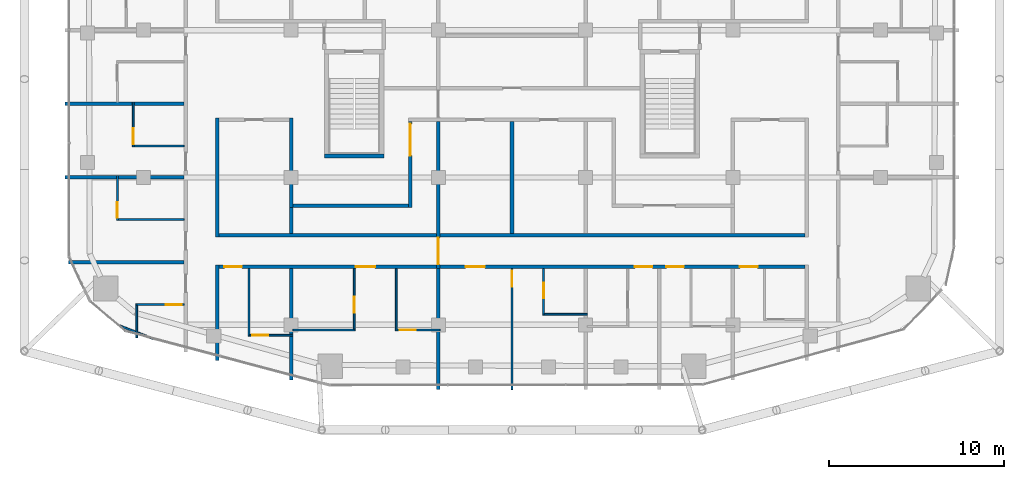
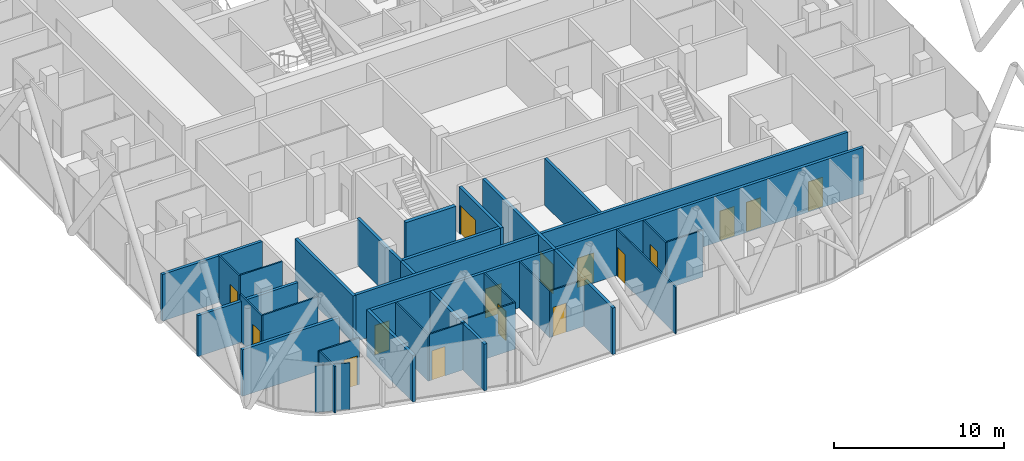
# One storey, part 20 of 28: 32 walls, 16 doors, 16 openings.
"""IFC4 building model written with IfcOpenShell, lengths in metres."""

from ifc_helpers import new_model, si_unit, direction, frame, frame_2d, origin, place, context, subcontext, project, spatial, rectangle, extrude, material, layer, layer_set, type_object, element, fill, save


model = new_model("IFC4")

# Units and contexts
model_context = context("Model", 3, precision=1e-05, world=origin(), true_north=direction((0.0, 1.0)))
body_context = subcontext(model_context, "Body", "Model", "MODEL_VIEW")
ifc_project = project(units=[si_unit("LENGTHUNIT", "METRE"), si_unit("AREAUNIT", "SQUARE_METRE"), si_unit("VOLUMEUNIT", "CUBIC_METRE"), si_unit("PLANEANGLEUNIT", "RADIAN"), si_unit("MASSUNIT", "GRAM", prefix="KILO")], contexts=[model_context])

# Site, building, storey
site_placement = place(None, origin())
site = spatial("IfcSite", under=ifc_project, at=site_placement, CompositionType="ELEMENT")
building_placement = place(site_placement, origin())
building = spatial("IfcBuilding", under=site, at=building_placement, Name="Marenta Gate Hotel Tower", CompositionType="ELEMENT")
storey_placement = place(building_placement, frame((0.0, 0.0, 227.300048828125)))
storey = spatial("IfcBuildingStorey", under=building, at=storey_placement, Name="L53", CompositionType="ELEMENT", Elevation=227.300048828125)

# Wall
ifc_material_1 = material(Name="Concrete blockwork", Category="masonry")
ifc_layer_1 = layer(ifc_material_1, 0.199951171875)
ifc_layer_set_1 = layer_set([ifc_layer_1], Name="Concrete blockwork")
wall_type_1 = type_object("IfcWallType", Name="Compartment wall 200 REI 180", PredefinedType="PARTITIONING", material=ifc_layer_set_1)
wall_1_placement = place(storey_placement, frame((-4.199951171875, -28.89990234375, 0.0), z_axis=(0.0, 0.0, 1.0), x_axis=(0.0, 1.0, 0.0)))
element("IfcWall", 1, at=wall_1_placement, inside=storey, type_object=wall_type_1, Name="L53-PTN-W080", PredefinedType="PARTITIONING", context=body_context, shape_type="SweptSolid", body=[
    extrude(rectangle(XDim=6.89990234375, YDim=0.199951171875, at=frame_2d((3.449951171875, 0.0))), origin(), (0.0, 0.0, 1.0), 3.33984375),
])

# Wall, opening, door
wall_2_placement = place(storey_placement, frame((-4.199951171875, -22.0, 0.0), z_axis=(0.0, 0.0, 1.0), x_axis=(0.0, 1.0, 0.0)))
wall_2 = element("IfcWall", 2, at=wall_2_placement, inside=storey, type_object=wall_type_1, Name="L53-PTN-W081", PredefinedType="PARTITIONING", context=body_context, shape_type="SweptSolid", body=[
    extrude(rectangle(XDim=8.39990234375, YDim=0.199951171875, at=frame_2d((4.199951171875, 0.0))), origin(), (0.0, 0.0, 1.0), 3.33984375),
])
opening_1_placement = place(wall_2_placement, frame((0.25, 0.0, 0.0)))
opening_1 = element("IfcOpeningElement", 3, at=opening_1_placement, cuts=wall_2, Name="Opening G19-FD4", PredefinedType="OPENING", context=body_context, shape_type="SweptSolid", body=[
    extrude(rectangle(XDim=1.5, YDim=2.10009765625, at=frame_2d((0.75, 1.050048828125))), frame((0.0, 0.10009765625, 0.0), z_axis=(0.0, -1.0, 0.0), x_axis=(1.0, 0.0, 0.0)), (0.0, 0.0, 1.0), 0.199951171875),
])
ifc_material_2 = material(Name="Hollow steel door set", Category="steel")
door_type_1 = type_object("IfcDoorType", Name="Compartment fire door 1500x2100 EI 60", OperationType="DOUBLE_DOOR_DOUBLE_SWING", PredefinedType="DOOR", material=ifc_material_2)
door_1_placement = place(opening_1_placement, origin())
door_1 = element("IfcDoor", 4, at=door_1_placement, inside=storey, type_object=door_type_1, Name="L53-PD-FD04", OperationType="DOUBLE_DOOR_DOUBLE_SWING", OverallHeight=2.10009765625, OverallWidth=1.5, PredefinedType="DOOR", context=body_context, shape_type="SweptSolid", body=[
    extrude(rectangle(XDim=1.5, YDim=2.10009765625, at=frame_2d((0.75, 1.050048828125))), frame((0.0, 0.02490234375, 0.0), z_axis=(0.0, -1.0, 0.0), x_axis=(1.0, 0.0, 0.0)), (0.0, 0.0, 1.0), 0.050048828125),
])
fill(opening_1, door_1)

# Wall
ifc_material_3 = material(Name="Concrete C40", Category="concrete")
ifc_layer_2 = layer(ifc_material_3, 0.25)
ifc_layer_set_2 = layer_set([ifc_layer_2], Name="Concrete C40")
wall_type_2 = type_object("IfcWallType", Name="Remote stair enclosure wall 250 REI 180", PredefinedType="SHEAR", material=ifc_layer_set_2)
wall_3_placement = place(storey_placement, frame((-10.699951171875, -15.574951171875, 0.099853515625), z_axis=(0.0, 0.0, 1.0), x_axis=(1.0, 0.0, 0.0)))
element("IfcWall", 5, at=wall_3_placement, inside=storey, type_object=wall_type_2, Name="L53-RS-Z3-1-W1", PredefinedType="SHEAR", context=body_context, shape_type="SweptSolid", body=[
    extrude(rectangle(XDim=3.39990234375, YDim=0.25, at=frame_2d((1.699951171875, 0.0))), origin(), (0.0, 0.0, 1.0), 3.60009765625),
])

# Wall, openings, doors
ifc_material_4 = material(Name="Gypsum board on steel stud", Category="steel")
ifc_layer_3 = layer(ifc_material_4, 0.199951171875)
ifc_layer_set_3 = layer_set([ifc_layer_3], Name="Gypsum board on steel stud")
wall_type_3 = type_object("IfcWallType", Name="Room corridor wall 200 EI 60", PredefinedType="PARTITIONING", material=ifc_layer_set_3)
wall_4_placement = place(storey_placement, frame((-16.699951171875, -21.89990234375, 0.0), z_axis=(0.0, 0.0, 1.0), x_axis=(1.0, 0.0, 0.0)))
wall_4 = element("IfcWall", 6, at=wall_4_placement, inside=storey, type_object=wall_type_3, Name="L53-PTN-W015", PredefinedType="PARTITIONING", context=body_context, shape_type="SweptSolid", body=[
    extrude(rectangle(XDim=33.39990234375, YDim=0.199951171875, at=frame_2d((16.699951171875, 0.0))), origin(), (0.0, 0.0, 1.0), 3.33984375),
])
opening_2_placement = place(wall_4_placement, frame((0.300048828125, 0.0, 0.0)))
opening_2 = element("IfcOpeningElement", 7, at=opening_2_placement, cuts=wall_4, Name="Opening G19-36", PredefinedType="OPENING", context=body_context, shape_type="SweptSolid", body=[
    extrude(rectangle(XDim=1.0, YDim=2.10009765625, at=frame_2d((0.5, 1.050048828125))), frame((0.0, 0.10009765625, 0.0), z_axis=(0.0, -1.0, 0.0), x_axis=(1.0, 0.0, 0.0)), (0.0, 0.0, 1.0), 0.199951171875),
])
opening_3_placement = place(wall_4_placement, frame((7.800048828125, 0.0, 0.0)))
opening_3 = element("IfcOpeningElement", 8, at=opening_3_placement, cuts=wall_4, Name="Opening G19-38", PredefinedType="OPENING", context=body_context, shape_type="SweptSolid", body=[
    extrude(rectangle(XDim=1.10009765625, YDim=2.10009765625, at=frame_2d((0.550048828125, 1.050048828125))), frame((0.0, 0.10009765625, 0.0), z_axis=(0.0, -1.0, 0.0), x_axis=(1.0, 0.0, 0.0)), (0.0, 0.0, 1.0), 0.199951171875),
])
opening_4_placement = place(wall_4_placement, frame((14.050048828125, 0.0, 0.0)))
opening_4 = element("IfcOpeningElement", 9, at=opening_4_placement, cuts=wall_4, Name="Opening G19-41", PredefinedType="OPENING", context=body_context, shape_type="SweptSolid", body=[
    extrude(rectangle(XDim=1.10009765625, YDim=2.10009765625, at=frame_2d((0.550048828125, 1.050048828125))), frame((0.0, 0.10009765625, 0.0), z_axis=(0.0, -1.0, 0.0), x_axis=(1.0, 0.0, 0.0)), (0.0, 0.0, 1.0), 0.199951171875),
])
opening_5_placement = place(wall_4_placement, frame((23.699951171875, 0.0, 0.0)))
opening_5 = element("IfcOpeningElement", 10, at=opening_5_placement, cuts=wall_4, Name="Opening G19-44", PredefinedType="OPENING", context=body_context, shape_type="SweptSolid", body=[
    extrude(rectangle(XDim=1.0, YDim=2.10009765625, at=frame_2d((0.5, 1.050048828125))), frame((0.0, 0.10009765625, 0.0), z_axis=(0.0, -1.0, 0.0), x_axis=(1.0, 0.0, 0.0)), (0.0, 0.0, 1.0), 0.199951171875),
])
opening_6_placement = place(wall_4_placement, frame((25.5, 0.0, 0.0)))
opening_6 = element("IfcOpeningElement", 11, at=opening_6_placement, cuts=wall_4, Name="Opening G19-46", PredefinedType="OPENING", context=body_context, shape_type="SweptSolid", body=[
    extrude(rectangle(XDim=1.0, YDim=2.10009765625, at=frame_2d((0.5, 1.050048828125))), frame((0.0, 0.10009765625, 0.0), z_axis=(0.0, -1.0, 0.0), x_axis=(1.0, 0.0, 0.0)), (0.0, 0.0, 1.0), 0.199951171875),
])
opening_7_placement = place(wall_4_placement, frame((29.699951171875, 0.0, 0.0)))
opening_7 = element("IfcOpeningElement", 12, at=opening_7_placement, cuts=wall_4, Name="Opening G19-48", PredefinedType="OPENING", context=body_context, shape_type="SweptSolid", body=[
    extrude(rectangle(XDim=1.0, YDim=2.10009765625, at=frame_2d((0.5, 1.050048828125))), frame((0.0, 0.10009765625, 0.0), z_axis=(0.0, -1.0, 0.0), x_axis=(1.0, 0.0, 0.0)), (0.0, 0.0, 1.0), 0.199951171875),
])
ifc_material_5 = material(Name="Timber door leaf", Category="wood")
door_type_2 = type_object("IfcDoorType", Name="Guest room door 1000x2100 EI 30", OperationType="NOTDEFINED", PredefinedType="DOOR", material=ifc_material_5)
door_2_placement = place(opening_2_placement, origin())
door_2 = element("IfcDoor", 13, at=door_2_placement, inside=storey, type_object=door_type_2, Name="L53-PD-D036", OperationType="SINGLE_SWING_RIGHT", OverallHeight=2.10009765625, OverallWidth=1.0, PredefinedType="DOOR", context=body_context, shape_type="SweptSolid", body=[
    extrude(rectangle(XDim=1.0, YDim=2.10009765625, at=frame_2d((0.5, 1.050048828125))), frame((0.0, 0.02490234375, 0.0), z_axis=(0.0, -1.0, 0.0), x_axis=(1.0, 0.0, 0.0)), (0.0, 0.0, 1.0), 0.050048828125),
])
fill(opening_2, door_2)
door_3_placement = place(opening_5_placement, origin())
door_3 = element("IfcDoor", 14, at=door_3_placement, inside=storey, type_object=door_type_2, Name="L53-PD-D044", OperationType="SINGLE_SWING_RIGHT", OverallHeight=2.10009765625, OverallWidth=1.0, PredefinedType="DOOR", context=body_context, shape_type="SweptSolid", body=[
    extrude(rectangle(XDim=1.0, YDim=2.10009765625, at=frame_2d((0.5, 1.050048828125))), frame((0.0, 0.02490234375, 0.0), z_axis=(0.0, -1.0, 0.0), x_axis=(1.0, 0.0, 0.0)), (0.0, 0.0, 1.0), 0.050048828125),
])
fill(opening_5, door_3)
door_4_placement = place(opening_6_placement, origin())
door_4 = element("IfcDoor", 15, at=door_4_placement, inside=storey, type_object=door_type_2, Name="L53-PD-D046", OperationType="SINGLE_SWING_RIGHT", OverallHeight=2.10009765625, OverallWidth=1.0, PredefinedType="DOOR", context=body_context, shape_type="SweptSolid", body=[
    extrude(rectangle(XDim=1.0, YDim=2.10009765625, at=frame_2d((0.5, 1.050048828125))), frame((0.0, 0.02490234375, 0.0), z_axis=(0.0, -1.0, 0.0), x_axis=(1.0, 0.0, 0.0)), (0.0, 0.0, 1.0), 0.050048828125),
])
fill(opening_6, door_4)
door_5_placement = place(opening_7_placement, origin())
door_5 = element("IfcDoor", 16, at=door_5_placement, inside=storey, type_object=door_type_2, Name="L53-PD-D048", OperationType="SINGLE_SWING_RIGHT", OverallHeight=2.10009765625, OverallWidth=1.0, PredefinedType="DOOR", context=body_context, shape_type="SweptSolid", body=[
    extrude(rectangle(XDim=1.0, YDim=2.10009765625, at=frame_2d((0.5, 1.050048828125))), frame((0.0, 0.02490234375, 0.0), z_axis=(0.0, -1.0, 0.0), x_axis=(1.0, 0.0, 0.0)), (0.0, 0.0, 1.0), 0.050048828125),
])
fill(opening_7, door_5)
ifc_material_6 = material(Name="Timber door leaf", Category="wood")
door_type_3 = type_object("IfcDoorType", Name="Guest room door 1100x2100 EI 30", OperationType="NOTDEFINED", PredefinedType="DOOR", material=ifc_material_6)
door_6_placement = place(opening_3_placement, origin())
door_6 = element("IfcDoor", 17, at=door_6_placement, inside=storey, type_object=door_type_3, Name="L53-PD-D038", OperationType="SINGLE_SWING_RIGHT", OverallHeight=2.10009765625, OverallWidth=1.10009765625, PredefinedType="DOOR", context=body_context, shape_type="SweptSolid", body=[
    extrude(rectangle(XDim=1.10009765625, YDim=2.10009765625, at=frame_2d((0.550048828125, 1.050048828125))), frame((0.0, 0.02490234375, 0.0), z_axis=(0.0, -1.0, 0.0), x_axis=(1.0, 0.0, 0.0)), (0.0, 0.0, 1.0), 0.050048828125),
])
fill(opening_3, door_6)
door_7_placement = place(opening_4_placement, origin())
door_7 = element("IfcDoor", 18, at=door_7_placement, inside=storey, type_object=door_type_3, Name="L53-PD-D041", OperationType="SINGLE_SWING_LEFT", OverallHeight=2.10009765625, OverallWidth=1.10009765625, PredefinedType="DOOR", context=body_context, shape_type="SweptSolid", body=[
    extrude(rectangle(XDim=1.10009765625, YDim=2.10009765625, at=frame_2d((0.550048828125, 1.050048828125))), frame((0.0, 0.02490234375, 0.0), z_axis=(0.0, -1.0, 0.0), x_axis=(1.0, 0.0, 0.0)), (0.0, 0.0, 1.0), 0.050048828125),
])
fill(opening_4, door_7)

# Walls
wall_5_placement = place(storey_placement, frame((-16.699951171875, -20.10009765625, 0.0), z_axis=(0.0, 0.0, 1.0), x_axis=(1.0, 0.0, 0.0)))
element("IfcWall", 19, at=wall_5_placement, inside=storey, type_object=wall_type_3, Name="L53-PTN-W019", PredefinedType="PARTITIONING", context=body_context, shape_type="SweptSolid", body=[
    extrude(rectangle(XDim=33.39990234375, YDim=0.199951171875, at=frame_2d((16.699951171875, 0.0))), origin(), (0.0, 0.0, 1.0), 3.33984375),
])
wall_6_placement = place(storey_placement, frame((-12.5, -18.39990234375, 0.0), z_axis=(0.0, 0.0, 1.0), x_axis=(1.0, 0.0, 0.0)))
element("IfcWall", 20, at=wall_6_placement, inside=storey, type_object=wall_type_3, Name="L53-PTN-W022", PredefinedType="PARTITIONING", context=body_context, shape_type="SweptSolid", body=[
    extrude(rectangle(XDim=6.60009765625, YDim=0.199951171875, at=frame_2d((3.300048828125, 0.0))), origin(), (0.0, 0.0, 1.0), 3.33984375),
])

# Wall, opening, door
wall_7_placement = place(storey_placement, frame((-5.800048828125, -18.5, 0.0), z_axis=(0.0, 0.0, 1.0), x_axis=(0.0, 1.0, 0.0)))
wall_7 = element("IfcWall", 21, at=wall_7_placement, inside=storey, type_object=wall_type_3, Name="L53-PTN-W085", PredefinedType="PARTITIONING", context=body_context, shape_type="SweptSolid", body=[
    extrude(rectangle(XDim=4.89990234375, YDim=0.199951171875, at=frame_2d((2.449951171875, 0.0))), origin(), (0.0, 0.0, 1.0), 3.33984375),
])
opening_8_placement = place(wall_7_placement, frame((2.949951171875, 0.0, 0.0)))
opening_8 = element("IfcOpeningElement", 22, at=opening_8_placement, cuts=wall_7, Name="Opening G19-12", PredefinedType="OPENING", context=body_context, shape_type="SweptSolid", body=[
    extrude(rectangle(XDim=1.800048828125, YDim=2.10009765625, at=frame_2d((0.89990234375, 1.050048828125))), frame((0.0, 0.10009765625, 0.0), z_axis=(0.0, -1.0, 0.0), x_axis=(1.0, 0.0, 0.0)), (0.0, 0.0, 1.0), 0.199951171875),
])
ifc_material_7 = material(Name="Timber door leaf", Category="wood")
door_type_4 = type_object("IfcDoorType", Name="Room amenity door 1800x2100 EI 30", OperationType="DOUBLE_DOOR_SINGLE_SWING", PredefinedType="DOOR", material=ifc_material_7)
door_8_placement = place(opening_8_placement, origin())
door_8 = element("IfcDoor", 23, at=door_8_placement, inside=storey, type_object=door_type_4, Name="L53-PD-D012", OperationType="DOUBLE_DOOR_SINGLE_SWING", OverallHeight=2.10009765625, OverallWidth=1.800048828125, PredefinedType="DOOR", context=body_context, shape_type="SweptSolid", body=[
    extrude(rectangle(XDim=1.800048828125, YDim=2.10009765625, at=frame_2d((0.89990234375, 1.050048828125))), frame((0.0, 0.02490234375, 0.0), z_axis=(0.0, -1.0, 0.0), x_axis=(1.0, 0.0, 0.0)), (0.0, 0.0, 1.0), 0.050048828125),
])
fill(opening_8, door_8)

# Walls
wall_8_placement = place(storey_placement, frame((-12.60009765625, -18.5, 0.0), z_axis=(0.0, 0.0, 1.0), x_axis=(0.0, 1.0, 0.0)))
element("IfcWall", 24, at=wall_8_placement, inside=storey, type_object=wall_type_3, Name="L53-PTN-W099", PredefinedType="PARTITIONING", context=body_context, shape_type="SweptSolid", body=[
    extrude(rectangle(XDim=5.10009765625, YDim=0.199951171875, at=frame_2d((2.550048828125, 0.0))), origin(), (0.0, 0.0, 1.0), 3.33984375),
])
wall_9_placement = place(storey_placement, frame((-16.800048828125, -27.22900390625, 0.0), z_axis=(0.0, 0.0, 1.0), x_axis=(0.0, 1.0, 0.0)))
element("IfcWall", 25, at=wall_9_placement, inside=storey, type_object=wall_type_3, Name="L53-PTN-W104", PredefinedType="PARTITIONING", context=body_context, shape_type="SweptSolid", body=[
    extrude(rectangle(XDim=5.428955078125, YDim=0.199951171875, at=frame_2d((2.71435546875, 0.0))), origin(), (0.0, 0.0, 1.0), 3.33984375),
])
wall_10_placement = place(storey_placement, frame((-16.800048828125, -20.199951171875, 0.0), z_axis=(0.0, 0.0, 1.0), x_axis=(0.0, 1.0, 0.0)))
element("IfcWall", 26, at=wall_10_placement, inside=storey, type_object=wall_type_3, Name="L53-PTN-W105", PredefinedType="PARTITIONING", context=body_context, shape_type="SweptSolid", body=[
    extrude(rectangle(XDim=6.800048828125, YDim=0.199951171875, at=frame_2d((3.39990234375, 0.0))), origin(), (0.0, 0.0, 1.0), 3.33984375),
])
ifc_material_8 = material(Name="Gypsum board on steel stud", Category="steel")
ifc_layer_4 = layer(ifc_material_8, 0.10009765625)
ifc_layer_set_4 = layer_set([ifc_layer_4], Name="Gypsum board on steel stud")
wall_type_4 = type_object("IfcWallType", Name="Room partition 100", PredefinedType="PARTITIONING", material=ifc_layer_set_4)
wall_11_placement = place(storey_placement, frame((-22.385986328125, -25.2470703125, 0.0), z_axis=(0.0, 0.0, 1.0), x_axis=(0.932741240306, -0.360546499959, 0.0)))
element("IfcWall", 27, at=wall_11_placement, inside=storey, type_object=wall_type_4, Name="L53-PTN-W001", PredefinedType="PARTITIONING", context=body_context, shape_type="SweptSolid", body=[
    extrude(rectangle(XDim=2.06591796875, YDim=0.10009765625, at=frame_2d((1.032958984375, 0.0))), origin(), (0.0, 0.0, 1.0), 3.33984375),
])

# Wall, opening, door
wall_12_placement = place(storey_placement, frame((-14.949951171875, -25.800048828125, 0.0), z_axis=(0.0, 0.0, 1.0), x_axis=(1.0, 0.0, 0.0)))
wall_12 = element("IfcWall", 28, at=wall_12_placement, inside=storey, type_object=wall_type_4, Name="L53-PTN-W002", PredefinedType="PARTITIONING", context=body_context, shape_type="SweptSolid", body=[
    extrude(rectangle(XDim=2.449951171875, YDim=0.10009765625, at=frame_2d((1.22509765625, 0.0))), origin(), (0.0, 0.0, 1.0), 3.33984375),
])
opening_9_placement = place(wall_12_placement, frame((0.14990234375, 0.0, 0.0)))
opening_9 = element("IfcOpeningElement", 29, at=opening_9_placement, cuts=wall_12, Name="Opening G19-37", PredefinedType="OPENING", context=body_context, shape_type="SweptSolid", body=[
    extrude(rectangle(XDim=0.89990234375, YDim=2.10009765625, at=frame_2d((0.449951171875, 1.050048828125))), frame((0.0, 0.050048828125, 0.0), z_axis=(0.0, -1.0, 0.0), x_axis=(1.0, 0.0, 0.0)), (0.0, 0.0, 1.0), 0.10009765625),
])
ifc_material_9 = material(Name="Timber door leaf", Category="wood")
door_type_5 = type_object("IfcDoorType", Name="Guest bathroom door 900x2100", OperationType="NOTDEFINED", PredefinedType="DOOR", material=ifc_material_9)
door_9_placement = place(opening_9_placement, origin())
door_9 = element("IfcDoor", 30, at=door_9_placement, inside=storey, type_object=door_type_5, Name="L53-PD-D037", OperationType="SINGLE_SWING_LEFT", OverallHeight=2.10009765625, OverallWidth=0.89990234375, PredefinedType="DOOR", context=body_context, shape_type="SweptSolid", body=[
    extrude(rectangle(XDim=0.89990234375, YDim=2.10009765625, at=frame_2d((0.449951171875, 1.050048828125))), frame((0.0, 0.02490234375, 0.0), z_axis=(0.0, -1.0, 0.0), x_axis=(1.0, 0.0, 0.0)), (0.0, 0.0, 1.0), 0.050048828125),
])
fill(opening_9, door_9)

# Wall
wall_13_placement = place(storey_placement, frame((-12.5, -25.5, 0.0), z_axis=(0.0, 0.0, 1.0), x_axis=(1.0, 0.0, 0.0)))
element("IfcWall", 31, at=wall_13_placement, inside=storey, type_object=wall_type_4, Name="L53-PTN-W003", PredefinedType="PARTITIONING", context=body_context, shape_type="SweptSolid", body=[
    extrude(rectangle(XDim=3.550048828125, YDim=0.10009765625, at=frame_2d((1.77490234375, 0.0))), origin(), (0.0, 0.0, 1.0), 3.33984375),
])

# Wall, opening, door
wall_14_placement = place(storey_placement, frame((-6.550048828125, -25.5, 0.0), z_axis=(0.0, 0.0, 1.0), x_axis=(1.0, 0.0, 0.0)))
wall_14 = element("IfcWall", 32, at=wall_14_placement, inside=storey, type_object=wall_type_4, Name="L53-PTN-W004", PredefinedType="PARTITIONING", context=body_context, shape_type="SweptSolid", body=[
    extrude(rectangle(XDim=2.449951171875, YDim=0.10009765625, at=frame_2d((1.22509765625, 0.0))), origin(), (0.0, 0.0, 1.0), 3.33984375),
])
opening_10_placement = place(wall_14_placement, frame((0.14990234375, 0.0, 0.0)))
opening_10 = element("IfcOpeningElement", 33, at=opening_10_placement, cuts=wall_14, Name="Opening G19-40", PredefinedType="OPENING", context=body_context, shape_type="SweptSolid", body=[
    extrude(rectangle(XDim=0.89990234375, YDim=2.10009765625, at=frame_2d((0.449951171875, 1.050048828125))), frame((0.0, 0.050048828125, 0.0), z_axis=(0.0, -1.0, 0.0), x_axis=(1.0, 0.0, 0.0)), (0.0, 0.0, 1.0), 0.10009765625),
])
ifc_material_10 = material(Name="Timber door leaf", Category="wood")
door_type_6 = type_object("IfcDoorType", Name="Room inner door 900x2100", OperationType="NOTDEFINED", PredefinedType="DOOR", material=ifc_material_10)
door_10_placement = place(opening_10_placement, origin())
door_10 = element("IfcDoor", 34, at=door_10_placement, inside=storey, type_object=door_type_6, Name="L53-PD-D040", OperationType="SINGLE_SWING_LEFT", OverallHeight=2.10009765625, OverallWidth=0.89990234375, PredefinedType="DOOR", context=body_context, shape_type="SweptSolid", body=[
    extrude(rectangle(XDim=0.89990234375, YDim=2.10009765625, at=frame_2d((0.449951171875, 1.050048828125))), frame((0.0, 0.02490234375, 0.0), z_axis=(0.0, -1.0, 0.0), x_axis=(1.0, 0.0, 0.0)), (0.0, 0.0, 1.0), 0.050048828125),
])
fill(opening_10, door_10)

# Wall
wall_15_placement = place(storey_placement, frame((1.85009765625, -24.60009765625, 0.0), z_axis=(0.0, 0.0, 1.0), x_axis=(1.0, 0.0, 0.0)))
element("IfcWall", 35, at=wall_15_placement, inside=storey, type_object=wall_type_4, Name="L53-PTN-W008", PredefinedType="PARTITIONING", context=body_context, shape_type="SweptSolid", body=[
    extrude(rectangle(XDim=2.449951171875, YDim=0.10009765625, at=frame_2d((1.22509765625, 0.0))), origin(), (0.0, 0.0, 1.0), 3.33984375),
])

# Wall, opening, door
wall_16_placement = place(storey_placement, frame((-21.449951171875, -24.051025390625, 0.0), z_axis=(0.0, 0.0, 1.0), x_axis=(1.0, 0.0, 0.0)))
wall_16 = element("IfcWall", 36, at=wall_16_placement, inside=storey, type_object=wall_type_4, Name="L53-PTN-W009", PredefinedType="PARTITIONING", context=body_context, shape_type="SweptSolid", body=[
    extrude(rectangle(XDim=2.75, YDim=0.10009765625, at=frame_2d((1.375, 0.0))), origin(), (0.0, 0.0, 1.0), 3.33984375),
])
opening_11_placement = place(wall_16_placement, frame((1.7099609375, 0.0, 0.0)))
opening_11 = element("IfcOpeningElement", 37, at=opening_11_placement, cuts=wall_16, Name="Opening G19-51", PredefinedType="OPENING", context=body_context, shape_type="SweptSolid", body=[
    extrude(rectangle(XDim=0.89990234375, YDim=2.10009765625, at=frame_2d((0.449951171875, 1.050048828125))), frame((0.0, 0.050048828125, 0.0), z_axis=(0.0, -1.0, 0.0), x_axis=(1.0, 0.0, 0.0)), (0.0, 0.0, 1.0), 0.10009765625),
])
door_11_placement = place(opening_11_placement, origin())
door_11 = element("IfcDoor", 38, at=door_11_placement, inside=storey, type_object=door_type_5, Name="L53-PD-D051", OperationType="SINGLE_SWING_LEFT", OverallHeight=2.10009765625, OverallWidth=0.89990234375, PredefinedType="DOOR", context=body_context, shape_type="SweptSolid", body=[
    extrude(rectangle(XDim=0.89990234375, YDim=2.10009765625, at=frame_2d((0.449951171875, 1.050048828125))), frame((0.0, 0.02490234375, 0.0), z_axis=(0.0, -1.0, 0.0), x_axis=(1.0, 0.0, 0.0)), (0.0, 0.0, 1.0), 0.050048828125),
])
fill(opening_11, door_11)

# Walls
wall_17_placement = place(storey_placement, frame((-22.449951171875, -19.199951171875, 0.0), z_axis=(0.0, 0.0, 1.0), x_axis=(1.0, 0.0, 0.0)))
element("IfcWall", 39, at=wall_17_placement, inside=storey, type_object=wall_type_4, Name="L53-PTN-W020", PredefinedType="PARTITIONING", context=body_context, shape_type="SweptSolid", body=[
    extrude(rectangle(XDim=3.75, YDim=0.10009765625, at=frame_2d((1.875, 0.0))), origin(), (0.0, 0.0, 1.0), 3.33984375),
])
wall_18_placement = place(storey_placement, frame((-21.550048828125, -15.0, 0.0), z_axis=(0.0, 0.0, 1.0), x_axis=(1.0, 0.0, 0.0)))
element("IfcWall", 40, at=wall_18_placement, inside=storey, type_object=wall_type_4, Name="L53-PTN-W030", PredefinedType="PARTITIONING", context=body_context, shape_type="SweptSolid", body=[
    extrude(rectangle(XDim=2.85009765625, YDim=0.10009765625, at=frame_2d((1.425048828125, 0.0))), origin(), (0.0, 0.0, 1.0), 3.33984375),
])

# Wall, opening, door
wall_19_placement = place(storey_placement, frame((1.800048828125, -24.64990234375, 0.0), z_axis=(0.0, 0.0, 1.0), x_axis=(0.0, 1.0, 0.0)))
wall_19 = element("IfcWall", 41, at=wall_19_placement, inside=storey, type_object=wall_type_4, Name="L53-PTN-W073", PredefinedType="PARTITIONING", context=body_context, shape_type="SweptSolid", body=[
    extrude(rectangle(XDim=2.64990234375, YDim=0.10009765625, at=frame_2d((1.324951171875, 0.0))), origin(), (0.0, 0.0, 1.0), 3.33984375),
])
opening_12_placement = place(wall_19_placement, frame((0.949951171875, 0.0, 0.0)))
opening_12 = element("IfcOpeningElement", 42, at=opening_12_placement, cuts=wall_19, Name="Opening G19-43", PredefinedType="OPENING", context=body_context, shape_type="SweptSolid", body=[
    extrude(rectangle(XDim=0.89990234375, YDim=2.10009765625, at=frame_2d((0.449951171875, 1.050048828125))), frame((0.0, 0.050048828125, 0.0), z_axis=(0.0, -1.0, 0.0), x_axis=(1.0, 0.0, 0.0)), (0.0, 0.0, 1.0), 0.10009765625),
])
door_12_placement = place(opening_12_placement, origin())
door_12 = element("IfcDoor", 43, at=door_12_placement, inside=storey, type_object=door_type_5, Name="L53-PD-D043", OperationType="SINGLE_SWING_LEFT", OverallHeight=2.10009765625, OverallWidth=0.89990234375, PredefinedType="DOOR", context=body_context, shape_type="SweptSolid", body=[
    extrude(rectangle(XDim=0.89990234375, YDim=2.10009765625, at=frame_2d((0.449951171875, 1.050048828125))), frame((0.0, 0.02490234375, 0.0), z_axis=(0.0, -1.0, 0.0), x_axis=(1.0, 0.0, 0.0)), (0.0, 0.0, 1.0), 0.050048828125),
])
fill(opening_12, door_12)

wall_20_placement = place(storey_placement, frame((0.0, -28.89990234375, 0.0), z_axis=(0.0, 0.0, 1.0), x_axis=(0.0, 1.0, 0.0)))
wall_20 = element("IfcWall", 44, at=wall_20_placement, inside=storey, type_object=wall_type_4, Name="L53-PTN-W075", PredefinedType="PARTITIONING", context=body_context, shape_type="SweptSolid", body=[
    extrude(rectangle(XDim=6.89990234375, YDim=0.10009765625, at=frame_2d((3.449951171875, 0.0))), origin(), (0.0, 0.0, 1.0), 3.33984375),
])
opening_13_placement = place(wall_20_placement, frame((5.8798828125, 0.0, 0.0)))
opening_13 = element("IfcOpeningElement", 45, at=opening_13_placement, cuts=wall_20, Name="Opening G19-42", PredefinedType="OPENING", context=body_context, shape_type="SweptSolid", body=[
    extrude(rectangle(XDim=0.89990234375, YDim=2.10009765625, at=frame_2d((0.449951171875, 1.050048828125))), frame((0.0, 0.050048828125, 0.0), z_axis=(0.0, -1.0, 0.0), x_axis=(1.0, 0.0, 0.0)), (0.0, 0.0, 1.0), 0.10009765625),
])
door_13_placement = place(opening_13_placement, origin())
door_13 = element("IfcDoor", 46, at=door_13_placement, inside=storey, type_object=door_type_6, Name="L53-PD-D042", OperationType="SINGLE_SWING_LEFT", OverallHeight=2.10009765625, OverallWidth=0.89990234375, PredefinedType="DOOR", context=body_context, shape_type="SweptSolid", body=[
    extrude(rectangle(XDim=0.89990234375, YDim=2.10009765625, at=frame_2d((0.449951171875, 1.050048828125))), frame((0.0, 0.02490234375, 0.0), z_axis=(0.0, -1.0, 0.0), x_axis=(1.0, 0.0, 0.0)), (0.0, 0.0, 1.0), 0.050048828125),
])
fill(opening_13, door_13)

# Wall
wall_21_placement = place(storey_placement, frame((-6.60009765625, -25.550048828125, 0.0), z_axis=(0.0, 0.0, 1.0), x_axis=(0.0, 1.0, 0.0)))
element("IfcWall", 47, at=wall_21_placement, inside=storey, type_object=wall_type_4, Name="L53-PTN-W086", PredefinedType="PARTITIONING", context=body_context, shape_type="SweptSolid", body=[
    extrude(rectangle(XDim=3.550048828125, YDim=0.10009765625, at=frame_2d((1.77490234375, 0.0))), origin(), (0.0, 0.0, 1.0), 3.33984375),
])

# Wall, opening, door
wall_22_placement = place(storey_placement, frame((-9.0, -25.449951171875, 0.0), z_axis=(0.0, 0.0, 1.0), x_axis=(0.0, 1.0, 0.0)))
wall_22 = element("IfcWall", 48, at=wall_22_placement, inside=storey, type_object=wall_type_4, Name="L53-PTN-W091", PredefinedType="PARTITIONING", context=body_context, shape_type="SweptSolid", body=[
    extrude(rectangle(XDim=3.449951171875, YDim=0.10009765625, at=frame_2d((1.72509765625, 0.0))), origin(), (0.0, 0.0, 1.0), 3.33984375),
])
opening_14_placement = place(wall_22_placement, frame((0.93994140625, 0.0, 0.0)))
opening_14 = element("IfcOpeningElement", 49, at=opening_14_placement, cuts=wall_22, Name="Opening G19-39", PredefinedType="OPENING", context=body_context, shape_type="SweptSolid", body=[
    extrude(rectangle(XDim=0.89990234375, YDim=2.10009765625, at=frame_2d((0.449951171875, 1.050048828125))), frame((0.0, 0.050048828125, 0.0), z_axis=(0.0, -1.0, 0.0), x_axis=(1.0, 0.0, 0.0)), (0.0, 0.0, 1.0), 0.10009765625),
])
door_14_placement = place(opening_14_placement, origin())
door_14 = element("IfcDoor", 50, at=door_14_placement, inside=storey, type_object=door_type_5, Name="L53-PD-D039", OperationType="SINGLE_SWING_LEFT", OverallHeight=2.10009765625, OverallWidth=0.89990234375, PredefinedType="DOOR", context=body_context, shape_type="SweptSolid", body=[
    extrude(rectangle(XDim=0.89990234375, YDim=2.10009765625, at=frame_2d((0.449951171875, 1.050048828125))), frame((0.0, 0.02490234375, 0.0), z_axis=(0.0, -1.0, 0.0), x_axis=(1.0, 0.0, 0.0)), (0.0, 0.0, 1.0), 0.050048828125),
])
fill(opening_14, door_14)

# Walls
wall_23_placement = place(storey_placement, frame((-15.0, -25.85009765625, 0.0), z_axis=(0.0, 0.0, 1.0), x_axis=(0.0, 1.0, 0.0)))
element("IfcWall", 51, at=wall_23_placement, inside=storey, type_object=wall_type_4, Name="L53-PTN-W103", PredefinedType="PARTITIONING", context=body_context, shape_type="SweptSolid", body=[
    extrude(rectangle(XDim=3.85009765625, YDim=0.10009765625, at=frame_2d((1.925048828125, 0.0))), origin(), (0.0, 0.0, 1.0), 3.33984375),
])
wall_24_placement = place(storey_placement, frame((-21.39990234375, -25.927978515625, 0.0), z_axis=(0.0, 0.0, 1.0), x_axis=(0.0, 1.0, 0.0)))
element("IfcWall", 52, at=wall_24_placement, inside=storey, type_object=wall_type_4, Name="L53-PTN-W114", PredefinedType="PARTITIONING", context=body_context, shape_type="SweptSolid", body=[
    extrude(rectangle(XDim=1.826904296875, YDim=0.10009765625, at=frame_2d((0.91357421875, 0.0))), origin(), (0.0, 0.0, 1.0), 3.33984375),
])

# Wall, opening, door
wall_25_placement = place(storey_placement, frame((-21.60009765625, -15.050048828125, 0.0), z_axis=(0.0, 0.0, 1.0), x_axis=(0.0, 1.0, 0.0)))
wall_25 = element("IfcWall", 53, at=wall_25_placement, inside=storey, type_object=wall_type_4, Name="L53-PTN-W116", PredefinedType="PARTITIONING", context=body_context, shape_type="SweptSolid", body=[
    extrude(rectangle(XDim=2.550048828125, YDim=0.10009765625, at=frame_2d((1.27490234375, 0.0))), origin(), (0.0, 0.0, 1.0), 3.33984375),
])
opening_15_placement = place(wall_25_placement, frame((0.14990234375, 0.0, 0.0)))
opening_15 = element("IfcOpeningElement", 54, at=opening_15_placement, cuts=wall_25, Name="Opening G19-55", PredefinedType="OPENING", context=body_context, shape_type="SweptSolid", body=[
    extrude(rectangle(XDim=0.89990234375, YDim=2.10009765625, at=frame_2d((0.449951171875, 1.050048828125))), frame((0.0, 0.050048828125, 0.0), z_axis=(0.0, -1.0, 0.0), x_axis=(1.0, 0.0, 0.0)), (0.0, 0.0, 1.0), 0.10009765625),
])
door_15_placement = place(opening_15_placement, origin())
door_15 = element("IfcDoor", 55, at=door_15_placement, inside=storey, type_object=door_type_5, Name="L53-PD-D055", OperationType="SINGLE_SWING_RIGHT", OverallHeight=2.10009765625, OverallWidth=0.89990234375, PredefinedType="DOOR", context=body_context, shape_type="SweptSolid", body=[
    extrude(rectangle(XDim=0.89990234375, YDim=2.10009765625, at=frame_2d((0.449951171875, 1.050048828125))), frame((0.0, 0.02490234375, 0.0), z_axis=(0.0, -1.0, 0.0), x_axis=(1.0, 0.0, 0.0)), (0.0, 0.0, 1.0), 0.050048828125),
])
fill(opening_15, door_15)

wall_26_placement = place(storey_placement, frame((-22.5, -19.25, 0.0), z_axis=(0.0, 0.0, 1.0), x_axis=(0.0, 1.0, 0.0)))
wall_26 = element("IfcWall", 56, at=wall_26_placement, inside=storey, type_object=wall_type_4, Name="L53-PTN-W121", PredefinedType="PARTITIONING", context=body_context, shape_type="SweptSolid", body=[
    extrude(rectangle(XDim=2.550048828125, YDim=0.10009765625, at=frame_2d((1.27490234375, 0.0))), origin(), (0.0, 0.0, 1.0), 3.33984375),
])
opening_16_placement = place(wall_26_placement, frame((0.14990234375, 0.0, 0.0)))
opening_16 = element("IfcOpeningElement", 57, at=opening_16_placement, cuts=wall_26, Name="Opening G19-53", PredefinedType="OPENING", context=body_context, shape_type="SweptSolid", body=[
    extrude(rectangle(XDim=0.89990234375, YDim=2.10009765625, at=frame_2d((0.449951171875, 1.050048828125))), frame((0.0, 0.050048828125, 0.0), z_axis=(0.0, -1.0, 0.0), x_axis=(1.0, 0.0, 0.0)), (0.0, 0.0, 1.0), 0.10009765625),
])
door_16_placement = place(opening_16_placement, origin())
door_16 = element("IfcDoor", 58, at=door_16_placement, inside=storey, type_object=door_type_5, Name="L53-PD-D053", OperationType="SINGLE_SWING_RIGHT", OverallHeight=2.10009765625, OverallWidth=0.89990234375, PredefinedType="DOOR", context=body_context, shape_type="SweptSolid", body=[
    extrude(rectangle(XDim=0.89990234375, YDim=2.10009765625, at=frame_2d((0.449951171875, 1.050048828125))), frame((0.0, 0.02490234375, 0.0), z_axis=(0.0, -1.0, 0.0), x_axis=(1.0, 0.0, 0.0)), (0.0, 0.0, 1.0), 0.050048828125),
])
fill(opening_16, door_16)

# Walls
ifc_material_11 = material(Name="Gypsum board on steel stud", Category="steel")
ifc_layer_5 = layer(ifc_material_11, 0.199951171875)
ifc_layer_set_5 = layer_set([ifc_layer_5], Name="Gypsum board on steel stud")
wall_type_5 = type_object("IfcWallType", Name="Room party wall 200 EI 60", PredefinedType="PARTITIONING", material=ifc_layer_set_5)
wall_27_placement = place(storey_placement, frame((-25.27587890625, -21.625, 0.0), z_axis=(0.0, 0.0, 1.0), x_axis=(1.0, 0.0, 0.0)))
element("IfcWall", 59, at=wall_27_placement, inside=storey, type_object=wall_type_5, Name="L53-PTN-W016", PredefinedType="PARTITIONING", context=body_context, shape_type="SweptSolid", body=[
    extrude(rectangle(XDim=6.575927734375, YDim=0.199951171875, at=frame_2d((3.2880859375, 0.0))), origin(), (0.0, 0.0, 1.0), 3.33984375),
])
wall_28_placement = place(storey_placement, frame((-25.5, -16.800048828125, 0.0), z_axis=(0.0, 0.0, 1.0), x_axis=(1.0, 0.0, 0.0)))
element("IfcWall", 60, at=wall_28_placement, inside=storey, type_object=wall_type_5, Name="L53-PTN-W028", PredefinedType="PARTITIONING", context=body_context, shape_type="SweptSolid", body=[
    extrude(rectangle(XDim=6.800048828125, YDim=0.199951171875, at=frame_2d((3.39990234375, 0.0))), origin(), (0.0, 0.0, 1.0), 2.93994140625),
])
wall_29_placement = place(storey_placement, frame((-25.5, -12.60009765625, 0.0), z_axis=(0.0, 0.0, 1.0), x_axis=(1.0, 0.0, 0.0)))
element("IfcWall", 61, at=wall_29_placement, inside=storey, type_object=wall_type_5, Name="L53-PTN-W041", PredefinedType="PARTITIONING", context=body_context, shape_type="SweptSolid", body=[
    extrude(rectangle(XDim=6.800048828125, YDim=0.199951171875, at=frame_2d((3.39990234375, 0.0))), origin(), (0.0, 0.0, 1.0), 3.33984375),
])
wall_30_placement = place(storey_placement, frame((0.0, -20.0, 0.0), z_axis=(0.0, 0.0, 1.0), x_axis=(0.0, 1.0, 0.0)))
element("IfcWall", 62, at=wall_30_placement, inside=storey, type_object=wall_type_5, Name="L53-PTN-W076", PredefinedType="PARTITIONING", context=body_context, shape_type="SweptSolid", body=[
    extrude(rectangle(XDim=6.39990234375, YDim=0.199951171875, at=frame_2d((3.199951171875, 0.0))), origin(), (0.0, 0.0, 1.0), 3.33984375),
])
wall_31_placement = place(storey_placement, frame((-12.60009765625, -28.343017578125, 0.0), z_axis=(0.0, 0.0, 1.0), x_axis=(0.0, 1.0, 0.0)))
element("IfcWall", 63, at=wall_31_placement, inside=storey, type_object=wall_type_5, Name="L53-PTN-W095", PredefinedType="PARTITIONING", context=body_context, shape_type="SweptSolid", body=[
    extrude(rectangle(XDim=6.343017578125, YDim=0.199951171875, at=frame_2d((3.17138671875, 0.0))), origin(), (0.0, 0.0, 1.0), 3.33984375),
])
wall_32_placement = place(storey_placement, frame((-12.60009765625, -20.0, 0.0), z_axis=(0.0, 0.0, 1.0), x_axis=(0.0, 1.0, 0.0)))
element("IfcWall", 64, at=wall_32_placement, inside=storey, type_object=wall_type_5, Name="L53-PTN-W096", PredefinedType="PARTITIONING", context=body_context, shape_type="SweptSolid", body=[
    extrude(rectangle(XDim=1.5, YDim=0.199951171875, at=frame_2d((0.75, 0.0))), origin(), (0.0, 0.0, 1.0), 3.33984375),
])

save(model, "model.ifc")
